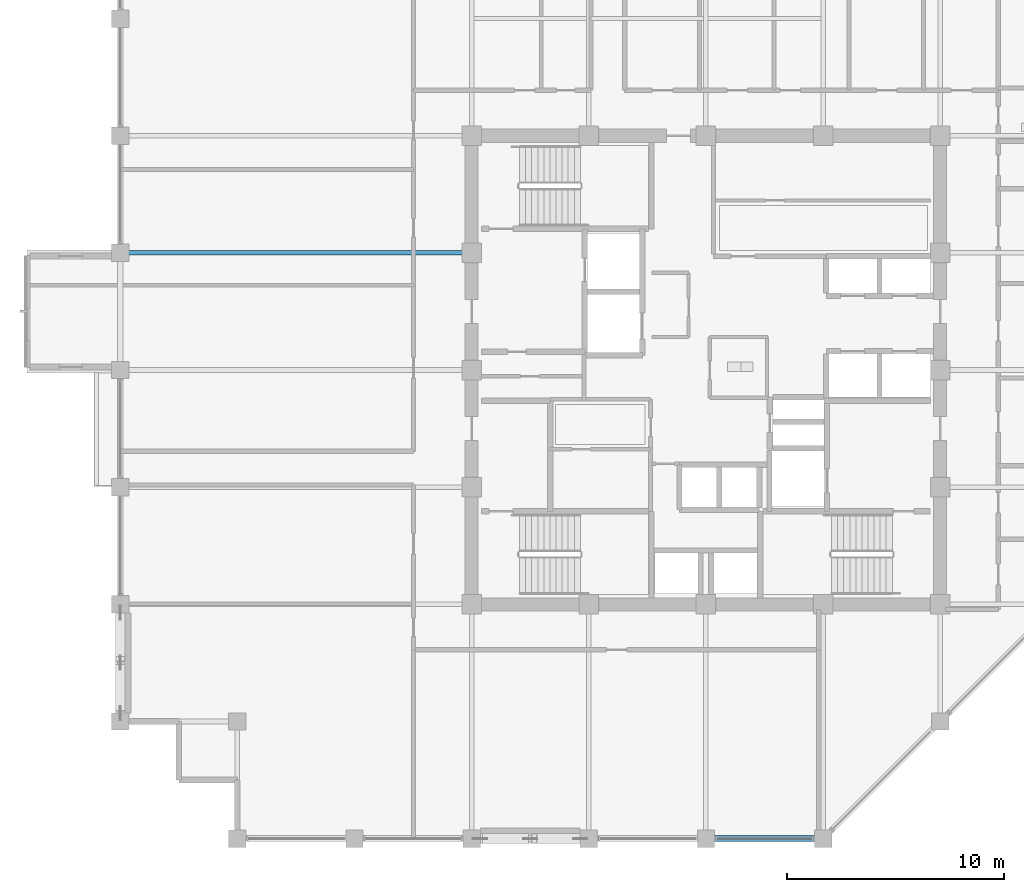
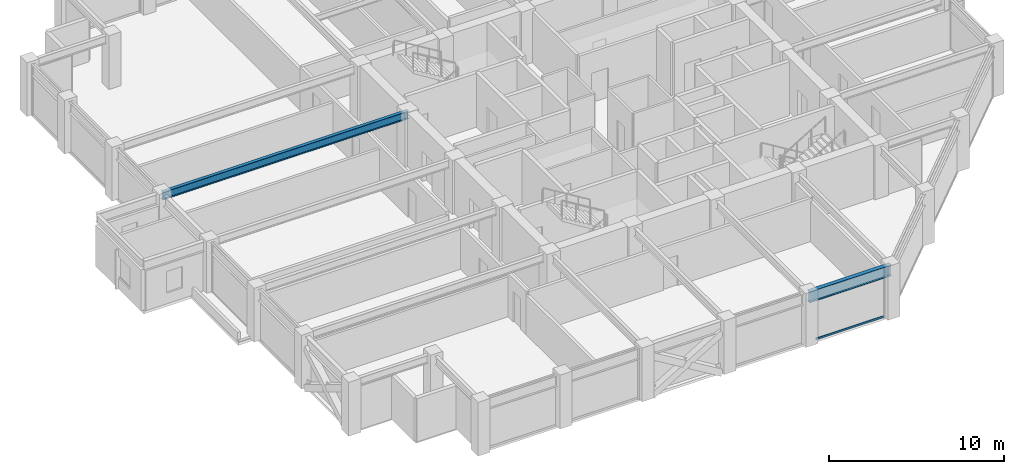
# One storey, part 8 of 28: 2 beams, 1 member, 1 element without a shape of its own.
"""IFC4 building model written with IfcOpenShell, lengths in metres."""

from ifc_helpers import new_model, si_unit, direction, frame, origin, origin_2d, place, context, subcontext, project, spatial, hollow_rectangle, i_section, extrude, material, layer, layer_set, material_profile, profile_set, type_object, element, aggregate, save


model = new_model("IFC4")

# Units and contexts
model_context = context("Model", 3, precision=1e-05, world=origin(), true_north=direction((0.0, 1.0)))
body_context = subcontext(model_context, "Body", "Model", "MODEL_VIEW")
ifc_project = project(units=[si_unit("LENGTHUNIT", "METRE"), si_unit("AREAUNIT", "SQUARE_METRE"), si_unit("VOLUMEUNIT", "CUBIC_METRE"), si_unit("PLANEANGLEUNIT", "RADIAN"), si_unit("MASSUNIT", "GRAM", prefix="KILO")], contexts=[model_context])

# Site, building, storey
site_placement = place(None, origin())
site = spatial("IfcSite", under=ifc_project, at=site_placement, CompositionType="ELEMENT")
building_placement = place(site_placement, origin())
building = spatial("IfcBuilding", under=site, at=building_placement, Name="Surkhivell Harbour Commons", CompositionType="ELEMENT")
storey_placement = place(building_placement, frame((0.0, 0.0, 238.5)))
storey = spatial("IfcBuildingStorey", under=building, at=storey_placement, Name="L62", CompositionType="ELEMENT", Elevation=238.5)

# Beams
ifc_material_1 = material(Name="Steel S355", Category="steel")
ifc_material_profile_1 = material_profile(ifc_material_1, i_section(OverallWidth=0.2119140625, OverallDepth=0.5439453125, WebThickness=0.0126953125, FlangeThickness=0.021240234375, at=origin_2d()), Name="UB533x210x122")
ifc_profile_set_1 = profile_set([ifc_material_profile_1], Name="Steel S355")
beam_type_1 = type_object("IfcBeamType", Name="BM-GRD-533A", PredefinedType="BEAM", material=ifc_profile_set_1)
beam_1_placement = place(storey_placement, frame((-27.0, 5.39990234375, 3.298095703125), z_axis=(1.0, 0.0, 0.0), x_axis=(0.0, 1.0, 0.0)))
element("IfcBeam", 1, at=beam_1_placement, inside=storey, type_object=beam_type_1, Name="L62 Cantilever Back-Span Girder (-27.0,5.4)", PredefinedType="BEAM", context=body_context, shape_type="SweptSolid", body=[
    extrude(i_section(OverallWidth=0.2119140625, OverallDepth=0.5439453125, WebThickness=0.0126953125, FlangeThickness=0.021240234375, at=origin_2d()), origin(), (0.0, 0.0, 1.0), 16.199951171875),
])
ifc_material_profile_2 = material_profile(ifc_material_1, i_section(OverallWidth=0.26806640625, OverallDepth=0.77001953125, WebThickness=0.015625, FlangeThickness=0.025390625, at=origin_2d()), Name="UB762x267x197")
ifc_profile_set_2 = profile_set([ifc_material_profile_2], Name="Steel S355")
beam_type_2 = type_object("IfcBeamType", Name="BM-SPN-762", PredefinedType="SPANDREL", material=ifc_profile_set_2)
beam_2_placement = place(storey_placement, frame((0.0, -21.60009765625, 3.18505859375), z_axis=(1.0, 0.0, 0.0), x_axis=(0.0, 1.0, 0.0)))
element("IfcBeam", 2, at=beam_2_placement, inside=storey, type_object=beam_type_2, Name="L62 Tube Spandrel (-0.0,-21.6)", PredefinedType="SPANDREL", context=body_context, shape_type="SweptSolid", body=[
    extrude(i_section(OverallWidth=0.26806640625, OverallDepth=0.77001953125, WebThickness=0.015625, FlangeThickness=0.025390625, at=origin_2d()), origin(), (0.0, 0.0, 1.0), 5.39990234375),
])

# Curtain wall, member
ifc_material_2 = material(Name="Anodised pale-metal aluminium and insulated glazing", Category="aluminium")
ifc_layer = layer(ifc_material_2, 0.18994140625)
ifc_layer_set = layer_set([ifc_layer], Name="Anodised pale-metal aluminium and insulated glazing")
curtain_wall_type = type_object("IfcCurtainWallType", Name="CW-SYS-Z3", PredefinedType="NOTDEFINED", material=ifc_layer_set)
curtain_wall_placement = place(storey_placement, origin())
curtain_wall = element("IfcCurtainWall", 3, at=curtain_wall_placement, inside=storey, type_object=curtain_wall_type, Name="L62 Curtain Wall CW-L62-E00S2", PredefinedType="NOTDEFINED")
ifc_material_3 = material(Name="Champagne anodised aluminium alloy 6063-T6", Category="aluminium")
ifc_material_profile_3 = material_profile(ifc_material_3, hollow_rectangle(XDim=0.070068359375, YDim=0.1298828125, WallThickness=0.00341796875, at=origin_2d()), Name="ALU-TRAN-70x130")
ifc_profile_set_3 = profile_set([ifc_material_profile_3], Name="Champagne anodised aluminium alloy 6063-T6")
member_type = type_object("IfcMemberType", Name="CWT-130", PredefinedType="USERDEFINED", material=ifc_profile_set_3)
member_placement = place(storey_placement, frame((0.47705078125, -21.60009765625, 0.06494140625), z_axis=(1.0, 0.0, 0.0), x_axis=(0.0, 1.0, 0.0)))
member = element("IfcMember", 4, at=member_placement, type_object=member_type, Name="CW-Z3 transom 2.1", ObjectType="TRANSOM", PredefinedType="USERDEFINED", context=body_context, shape_type="SweptSolid", body=[
    extrude(hollow_rectangle(XDim=0.070068359375, YDim=0.1298828125, WallThickness=0.00341796875, at=origin_2d()), origin(), (0.0, 0.0, 1.0), 4.446044921875),
])
aggregate(curtain_wall, [member])

save(model, "model.ifc")
